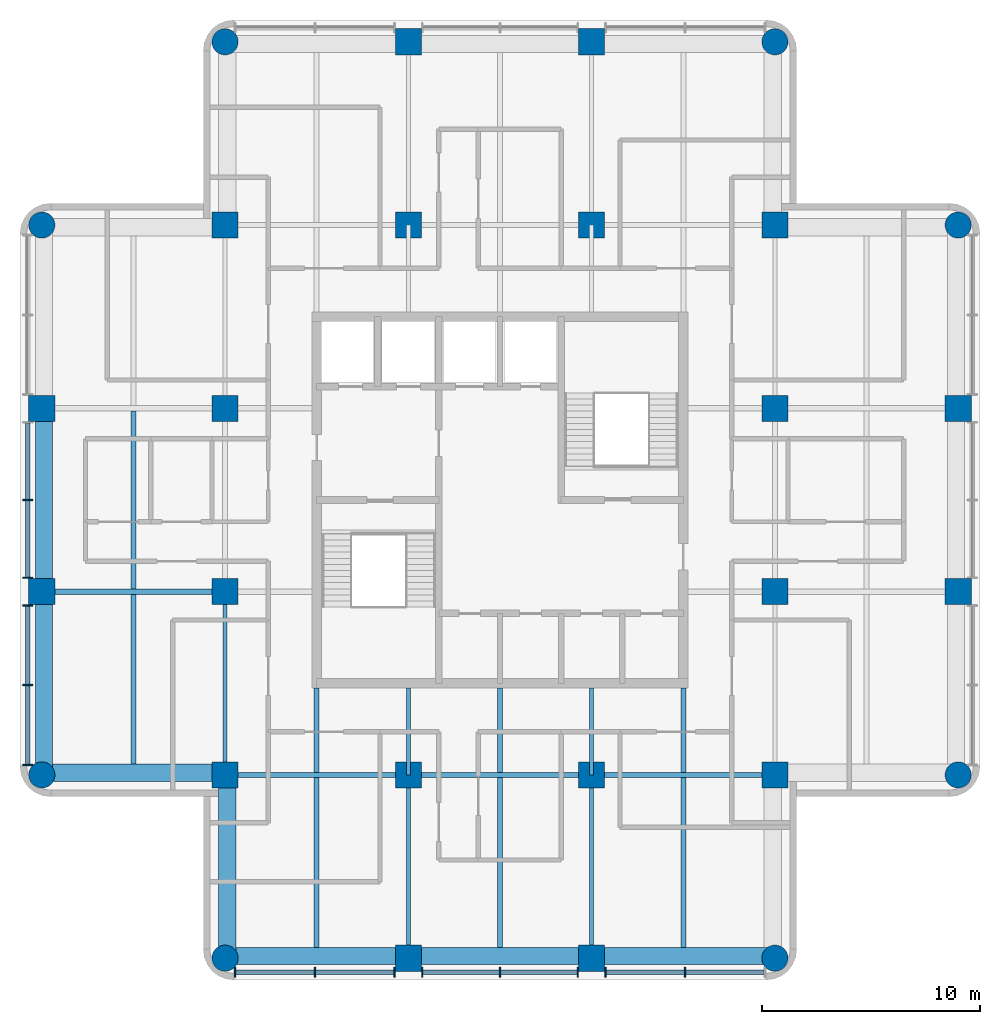
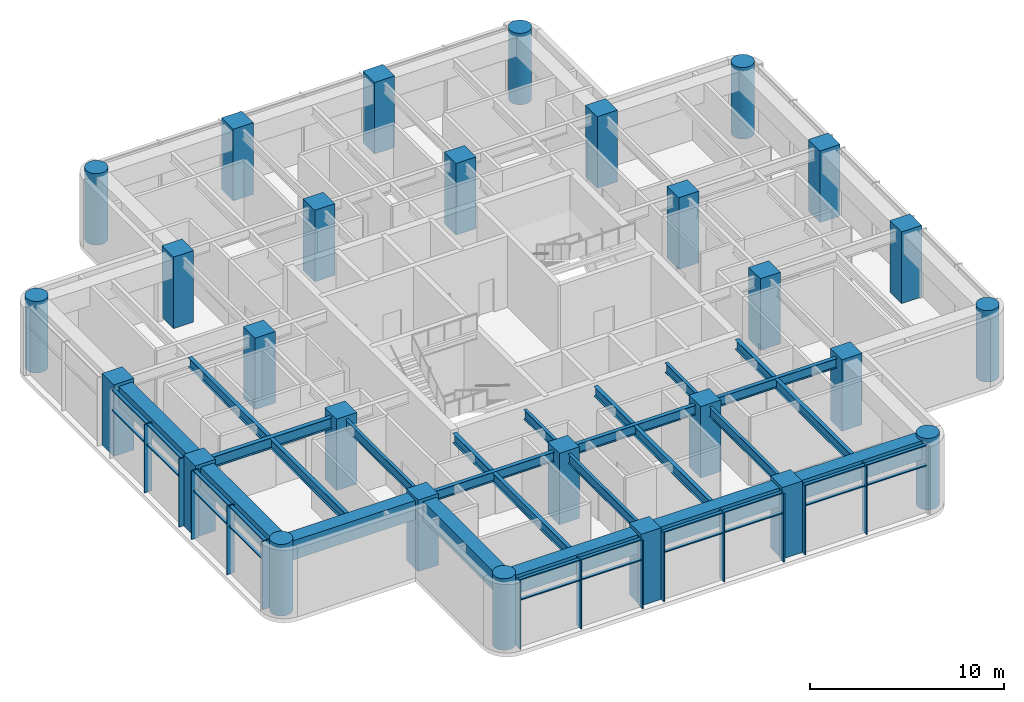
# One storey, part 1 of 8: 33 members, 28 columns, 24 beams, 2 elements without a shape of their own.
"""IFC4 building model written with IfcOpenShell, lengths in metres."""

from ifc_helpers import new_model, si_unit, direction, frame, origin, origin_2d, place, context, subcontext, project, spatial, rectangle, circle, i_section, extrude, material, material_profile, profile_set, type_object, element, aggregate, save


model = new_model("IFC4")

# Units and contexts
model_context = context("Model", 3, precision=1e-05, world=origin(), true_north=direction((0.0, 1.0)))
body_context = subcontext(model_context, "Body", "Model", "MODEL_VIEW")
ifc_project = project(units=[si_unit("LENGTHUNIT", "METRE"), si_unit("AREAUNIT", "SQUARE_METRE"), si_unit("VOLUMEUNIT", "CUBIC_METRE"), si_unit("PLANEANGLEUNIT", "RADIAN"), si_unit("MASSUNIT", "GRAM", prefix="KILO")], contexts=[model_context])

# Site, building, storey
site_placement = place(None, origin())
site = spatial("IfcSite", under=ifc_project, at=site_placement, CompositionType="ELEMENT")
building_placement = place(site_placement, origin())
building = spatial("IfcBuilding", under=site, at=building_placement, Name="Torre Alcanfor", CompositionType="ELEMENT")
storey_placement = place(building_placement, frame((0.0, 0.0, 305.39990234375)))
storey = spatial("IfcBuildingStorey", under=building, at=storey_placement, Name="L80", CompositionType="ELEMENT", Elevation=305.39990234375)

# Columns
ifc_material_1 = material(Name="Concrete f'c 70 MPa", Category="concrete")
ifc_material_profile_1 = material_profile(ifc_material_1, rectangle(XDim=1.199951171875, YDim=1.199951171875, at=origin_2d()), Name="1200x1200")
ifc_profile_set_1 = profile_set([ifc_material_profile_1], Name="Concrete f'c 70 MPa")
column_type_1 = type_object("IfcColumnType", Name="RC column 1200x1200 f'c70", PredefinedType="COLUMN", material=ifc_profile_set_1)
for number, where, z_axis, x_axis, name in (
    (1, (8.39990234375, 25.199951171875, 0.0), (0.0, 0.0, 1.0), (1.0, 0.0, 0.0), "Column 2/F L80"),
    (2, (8.39990234375, 33.60009765625, 0.0), (0.0, 0.0, 1.0), (1.0, 0.0, 0.0), "Column 2/G L80"),
    (3, (16.800048828125, 16.800048828125, 0.0), (0.0, 0.0, 1.0), (1.0, 0.0, 0.0), "Column 3/E L80"),
    (4, (16.800048828125, 25.199951171875, 0.0), (0.0, 0.0, 1.0), (1.0, 0.0, 0.0), "Column 3/F L80"),
    (5, (16.800048828125, 33.60009765625, 0.0), (0.0, 0.0, 1.0), (1.0, 0.0, 0.0), "Column 3/G L80"),
    (6, (16.800048828125, 42.0, 0.0), (0.0, 0.0, 1.0), (1.0, 0.0, 0.0), "Column 3/H L80"),
    (7, (25.199951171875, 8.39990234375, 0.0), (0.0, 0.0, 1.0), (1.0, 0.0, 0.0), "Column 4/D L80"),
    (8, (25.199951171875, 16.800048828125, 0.0), (0.0, 0.0, 1.0), (1.0, 0.0, 0.0), "Column 4/E L80"),
    (9, (25.199951171875, 42.0, 0.0), (0.0, 0.0, 1.0), (1.0, 0.0, 0.0), "Column 4/H L80"),
    (10, (25.199951171875, 50.39990234375, 0.0), (0.0, 0.0, 1.0), (1.0, 0.0, 0.0), "Column 4/J L80"),
    (11, (33.60009765625, 8.39990234375, 0.0), (0.0, 0.0, 1.0), (1.0, 0.0, 0.0), "Column 5/D L80"),
    (12, (33.60009765625, 16.800048828125, 0.0), (0.0, 0.0, 1.0), (1.0, 0.0, 0.0), "Column 5/E L80"),
    (13, (33.60009765625, 42.0, 0.0), (0.0, 0.0, 1.0), (1.0, 0.0, 0.0), "Column 5/H L80"),
    (14, (33.60009765625, 50.39990234375, 0.0), (0.0, 0.0, 1.0), (1.0, 0.0, 0.0), "Column 5/J L80"),
    (15, (42.0, 16.800048828125, 0.0), (0.0, 0.0, 1.0), (1.0, 0.0, 0.0), "Column 6/E L80"),
    (16, (42.0, 25.199951171875, 0.0), (0.0, 0.0, 1.0), (1.0, 0.0, 0.0), "Column 6/F L80"),
    (17, (42.0, 33.60009765625, 0.0), (0.0, 0.0, 1.0), (1.0, 0.0, 0.0), "Column 6/G L80"),
    (18, (42.0, 42.0, 0.0), (0.0, 0.0, 1.0), (1.0, 0.0, 0.0), "Column 6/H L80"),
    (19, (50.39990234375, 25.199951171875, 0.0), (0.0, 0.0, 1.0), (1.0, 0.0, 0.0), "Column 7/F L80"),
    (20, (50.39990234375, 33.60009765625, 0.0), (0.0, 0.0, 1.0), (1.0, 0.0, 0.0), "Column 7/G L80"),
):
    element("IfcColumn", number, at=place(storey_placement, frame(where, z_axis=z_axis, x_axis=x_axis)), inside=storey, type_object=column_type_1, Name=name, PredefinedType="COLUMN", context=body_context, shape_type="SweptSolid", body=[
        extrude(rectangle(XDim=1.199951171875, YDim=1.199951171875, at=origin_2d()), origin(), (0.0, 0.0, 1.0), 4.5),
    ])
ifc_material_2 = material(Name="Concrete f'c 70 MPa", Category="concrete")
ifc_material_profile_2 = material_profile(ifc_material_2, circle(Radius=0.60009765625, at=origin_2d()), Name="D1200")
ifc_profile_set_2 = profile_set([ifc_material_profile_2], Name="Concrete f'c 70 MPa")
column_type_2 = type_object("IfcColumnType", Name="RC column D1200 f'c70", PredefinedType="COLUMN", material=ifc_profile_set_2)
for number, where, z_axis, x_axis, name in (
    (21, (8.39990234375, 16.800048828125, 0.0), (0.0, 0.0, 1.0), (1.0, 0.0, 0.0), "Column 2/E L80"),
    (22, (8.39990234375, 42.0, 0.0), (0.0, 0.0, 1.0), (1.0, 0.0, 0.0), "Column 2/H L80"),
    (23, (16.800048828125, 8.39990234375, 0.0), (0.0, 0.0, 1.0), (1.0, 0.0, 0.0), "Column 3/D L80"),
    (24, (16.800048828125, 50.39990234375, 0.0), (0.0, 0.0, 1.0), (1.0, 0.0, 0.0), "Column 3/J L80"),
    (25, (42.0, 8.39990234375, 0.0), (0.0, 0.0, 1.0), (1.0, 0.0, 0.0), "Column 6/D L80"),
    (26, (42.0, 50.39990234375, 0.0), (0.0, 0.0, 1.0), (1.0, 0.0, 0.0), "Column 6/J L80"),
    (27, (50.39990234375, 16.800048828125, 0.0), (0.0, 0.0, 1.0), (1.0, 0.0, 0.0), "Column 7/E L80"),
    (28, (50.39990234375, 42.0, 0.0), (0.0, 0.0, 1.0), (1.0, 0.0, 0.0), "Column 7/H L80"),
):
    element("IfcColumn", number, at=place(storey_placement, frame(where, z_axis=z_axis, x_axis=x_axis)), inside=storey, type_object=column_type_2, Name=name, PredefinedType="COLUMN", context=body_context, shape_type="SweptSolid", body=[
        extrude(circle(Radius=0.60009765625, at=origin_2d()), origin(), (0.0, 0.0, 1.0), 4.5),
    ])

# Curtain wall, members
ifc_material_3 = material(Name="Aluminium and glass", Category="aluminium")
curtain_wall_type = type_object("IfcCurtainWallType", Name="CW-E crown screen", PredefinedType="NOTDEFINED", material=ifc_material_3)
curtain_wall_1_placement = place(storey_placement, origin())
curtain_wall_1 = element("IfcCurtainWall", 29, at=curtain_wall_1_placement, inside=storey, type_object=curtain_wall_type, Name="Curtain wall CW-E L80 2", PredefinedType="NOTDEFINED")
ifc_material_4 = material(Name="Bronze anodised aluminium", Category="aluminium")
ifc_material_profile_3 = material_profile(ifc_material_4, rectangle(XDim=0.449951171875, YDim=0.06494140625, at=origin_2d()), Name="CW-E mullion 65x450")
ifc_profile_set_3 = profile_set([ifc_material_profile_3], Name="Bronze anodised aluminium")
member_type_1 = type_object("IfcMemberType", Name="CW-E mullion with vertical FIN 65x450", PredefinedType="MULLION", material=ifc_profile_set_3)
member_1_placement = place(storey_placement, frame((7.75, 29.39990234375, 0.0), z_axis=(0.0, 0.0, 1.0), x_axis=(1.0, 0.0, 0.0)))
member_1 = element("IfcMember", 30, at=member_1_placement, type_object=member_type_1, Name="CW-E mullion 2.2", PredefinedType="MULLION", context=body_context, shape_type="SweptSolid", body=[
    extrude(rectangle(XDim=0.449951171875, YDim=0.06494140625, at=origin_2d()), origin(), (0.0, 0.0, 1.0), 4.300048828125),
])
member_2_placement = place(storey_placement, frame((7.75, 25.83740234375, 0.0), z_axis=(0.0, 0.0, 1.0), x_axis=(1.0, 0.0, 0.0)))
member_2 = element("IfcMember", 31, at=member_2_placement, type_object=member_type_1, Name="CW-E mullion 2.3", PredefinedType="MULLION", context=body_context, shape_type="SweptSolid", body=[
    extrude(rectangle(XDim=0.449951171875, YDim=0.06494140625, at=origin_2d()), origin(), (0.0, 0.0, 1.0), 4.300048828125),
])
member_3_placement = place(storey_placement, frame((7.75, 24.5625, 0.0), z_axis=(0.0, 0.0, 1.0), x_axis=(1.0, 0.0, 0.0)))
member_3 = element("IfcMember", 32, at=member_3_placement, type_object=member_type_1, Name="CW-E mullion 3.1", PredefinedType="MULLION", context=body_context, shape_type="SweptSolid", body=[
    extrude(rectangle(XDim=0.449951171875, YDim=0.06494140625, at=origin_2d()), origin(), (0.0, 0.0, 1.0), 4.300048828125),
])
member_4_placement = place(storey_placement, frame((7.75, 20.912841796875, 0.0), z_axis=(0.0, 0.0, 1.0), x_axis=(1.0, 0.0, 0.0)))
member_4 = element("IfcMember", 33, at=member_4_placement, type_object=member_type_1, Name="CW-E mullion 3.2", PredefinedType="MULLION", context=body_context, shape_type="SweptSolid", body=[
    extrude(rectangle(XDim=0.449951171875, YDim=0.06494140625, at=origin_2d()), origin(), (0.0, 0.0, 1.0), 4.300048828125),
])
member_5_placement = place(storey_placement, frame((7.75, 17.262939453125, 0.0), z_axis=(0.0, 0.0, 1.0), x_axis=(1.0, 0.0, 0.0)))
member_5 = element("IfcMember", 34, at=member_5_placement, type_object=member_type_1, Name="CW-E mullion 3.3", PredefinedType="MULLION", context=body_context, shape_type="SweptSolid", body=[
    extrude(rectangle(XDim=0.449951171875, YDim=0.06494140625, at=origin_2d()), origin(), (0.0, 0.0, 1.0), 4.300048828125),
])

curtain_wall_2_placement = place(storey_placement, origin())
curtain_wall_2 = element("IfcCurtainWall", 35, at=curtain_wall_2_placement, inside=storey, type_object=curtain_wall_type, Name="Curtain wall CW-E L80 5", PredefinedType="NOTDEFINED")
member_6_placement = place(storey_placement, frame((17.262939453125, 7.75, 0.0), z_axis=(0.0, 0.0, 1.0), x_axis=(0.0, 1.0, 0.0)))
member_6 = element("IfcMember", 36, at=member_6_placement, type_object=member_type_1, Name="CW-E mullion 1.1", PredefinedType="MULLION", context=body_context, shape_type="SweptSolid", body=[
    extrude(rectangle(XDim=0.449951171875, YDim=0.06494140625, at=origin_2d()), origin(), (0.0, 0.0, 1.0), 4.300048828125),
])
member_7_placement = place(storey_placement, frame((20.912841796875, 7.75, 0.0), z_axis=(0.0, 0.0, 1.0), x_axis=(0.0, 1.0, 0.0)))
member_7 = element("IfcMember", 37, at=member_7_placement, type_object=member_type_1, Name="CW-E mullion 1.2", PredefinedType="MULLION", context=body_context, shape_type="SweptSolid", body=[
    extrude(rectangle(XDim=0.449951171875, YDim=0.06494140625, at=origin_2d()), origin(), (0.0, 0.0, 1.0), 4.300048828125),
])
member_8_placement = place(storey_placement, frame((24.5625, 7.75, 0.0), z_axis=(0.0, 0.0, 1.0), x_axis=(0.0, 1.0, 0.0)))
member_8 = element("IfcMember", 38, at=member_8_placement, type_object=member_type_1, Name="CW-E mullion 1.3", PredefinedType="MULLION", context=body_context, shape_type="SweptSolid", body=[
    extrude(rectangle(XDim=0.449951171875, YDim=0.06494140625, at=origin_2d()), origin(), (0.0, 0.0, 1.0), 4.300048828125),
])
member_9_placement = place(storey_placement, frame((25.83740234375, 7.75, 0.0), z_axis=(0.0, 0.0, 1.0), x_axis=(0.0, 1.0, 0.0)))
member_9 = element("IfcMember", 39, at=member_9_placement, type_object=member_type_1, Name="CW-E mullion 2.1", PredefinedType="MULLION", context=body_context, shape_type="SweptSolid", body=[
    extrude(rectangle(XDim=0.449951171875, YDim=0.06494140625, at=origin_2d()), origin(), (0.0, 0.0, 1.0), 4.300048828125),
])
member_10_placement = place(storey_placement, frame((29.39990234375, 7.75, 0.0), z_axis=(0.0, 0.0, 1.0), x_axis=(0.0, 1.0, 0.0)))
member_10 = element("IfcMember", 40, at=member_10_placement, type_object=member_type_1, Name="CW-E mullion 2.2", PredefinedType="MULLION", context=body_context, shape_type="SweptSolid", body=[
    extrude(rectangle(XDim=0.449951171875, YDim=0.06494140625, at=origin_2d()), origin(), (0.0, 0.0, 1.0), 4.300048828125),
])
member_11_placement = place(storey_placement, frame((32.96240234375, 7.75, 0.0), z_axis=(0.0, 0.0, 1.0), x_axis=(0.0, 1.0, 0.0)))
member_11 = element("IfcMember", 41, at=member_11_placement, type_object=member_type_1, Name="CW-E mullion 2.3", PredefinedType="MULLION", context=body_context, shape_type="SweptSolid", body=[
    extrude(rectangle(XDim=0.449951171875, YDim=0.06494140625, at=origin_2d()), origin(), (0.0, 0.0, 1.0), 4.300048828125),
])
member_12_placement = place(storey_placement, frame((34.237548828125, 7.75, 0.0), z_axis=(0.0, 0.0, 1.0), x_axis=(0.0, 1.0, 0.0)))
member_12 = element("IfcMember", 42, at=member_12_placement, type_object=member_type_1, Name="CW-E mullion 3.1", PredefinedType="MULLION", context=body_context, shape_type="SweptSolid", body=[
    extrude(rectangle(XDim=0.449951171875, YDim=0.06494140625, at=origin_2d()), origin(), (0.0, 0.0, 1.0), 4.300048828125),
])
member_13_placement = place(storey_placement, frame((37.88720703125, 7.75, 0.0), z_axis=(0.0, 0.0, 1.0), x_axis=(0.0, 1.0, 0.0)))
member_13 = element("IfcMember", 43, at=member_13_placement, type_object=member_type_1, Name="CW-E mullion 3.2", PredefinedType="MULLION", context=body_context, shape_type="SweptSolid", body=[
    extrude(rectangle(XDim=0.449951171875, YDim=0.06494140625, at=origin_2d()), origin(), (0.0, 0.0, 1.0), 4.300048828125),
])

# Member
ifc_material_5 = material(Name="Extruded aluminium", Category="aluminium")
ifc_material_profile_4 = material_profile(ifc_material_5, rectangle(XDim=0.199951171875, YDim=0.06494140625, at=origin_2d()), Name="CW-E transom 200x65")
ifc_profile_set_4 = profile_set([ifc_material_profile_4], Name="Extruded aluminium")
member_type_2 = type_object("IfcMemberType", Name="CW-E transom 65x200", PredefinedType="USERDEFINED", material=ifc_profile_set_4)
member_14_placement = place(storey_placement, frame((7.75, 32.929931640625, 3.0), z_axis=(0.0, -1.0, 0.0), x_axis=(1.0, 0.0, 0.0)))
member_14 = element("IfcMember", 44, at=member_14_placement, type_object=member_type_2, Name="CW-E transom 2.1.2", ObjectType="TRANSOM", PredefinedType="USERDEFINED", context=body_context, shape_type="SweptSolid", body=[
    extrude(rectangle(XDim=0.199951171875, YDim=0.06494140625, at=origin_2d()), origin(), (0.0, 0.0, 1.0), 3.497314453125),
])

member_15_placement = place(storey_placement, frame((7.75, 32.929931640625, 4.267578125), z_axis=(0.0, -1.0, 0.0), x_axis=(1.0, 0.0, 0.0)))
member_15 = element("IfcMember", 45, at=member_15_placement, type_object=member_type_2, Name="CW-E transom 2.1.3", ObjectType="TRANSOM", PredefinedType="USERDEFINED", context=body_context, shape_type="SweptSolid", body=[
    extrude(rectangle(XDim=0.199951171875, YDim=0.06494140625, at=origin_2d()), origin(), (0.0, 0.0, 1.0), 3.497314453125),
])

member_16_placement = place(storey_placement, frame((7.75, 29.367431640625, 3.0), z_axis=(0.0, -1.0, 0.0), x_axis=(1.0, 0.0, 0.0)))
member_16 = element("IfcMember", 46, at=member_16_placement, type_object=member_type_2, Name="CW-E transom 2.2.2", ObjectType="TRANSOM", PredefinedType="USERDEFINED", context=body_context, shape_type="SweptSolid", body=[
    extrude(rectangle(XDim=0.199951171875, YDim=0.06494140625, at=origin_2d()), origin(), (0.0, 0.0, 1.0), 3.497314453125),
])

member_17_placement = place(storey_placement, frame((7.75, 29.367431640625, 4.267578125), z_axis=(0.0, -1.0, 0.0), x_axis=(1.0, 0.0, 0.0)))
member_17 = element("IfcMember", 47, at=member_17_placement, type_object=member_type_2, Name="CW-E transom 2.2.3", ObjectType="TRANSOM", PredefinedType="USERDEFINED", context=body_context, shape_type="SweptSolid", body=[
    extrude(rectangle(XDim=0.199951171875, YDim=0.06494140625, at=origin_2d()), origin(), (0.0, 0.0, 1.0), 3.497314453125),
])

member_18_placement = place(storey_placement, frame((7.75, 24.530029296875, 3.0), z_axis=(0.0, -1.0, 0.0), x_axis=(1.0, 0.0, 0.0)))
member_18 = element("IfcMember", 48, at=member_18_placement, type_object=member_type_2, Name="CW-E transom 3.1.2", ObjectType="TRANSOM", PredefinedType="USERDEFINED", context=body_context, shape_type="SweptSolid", body=[
    extrude(rectangle(XDim=0.199951171875, YDim=0.06494140625, at=origin_2d()), origin(), (0.0, 0.0, 1.0), 3.584716796875),
])

member_19_placement = place(storey_placement, frame((7.75, 24.530029296875, 4.267578125), z_axis=(0.0, -1.0, 0.0), x_axis=(1.0, 0.0, 0.0)))
member_19 = element("IfcMember", 49, at=member_19_placement, type_object=member_type_2, Name="CW-E transom 3.1.3", ObjectType="TRANSOM", PredefinedType="USERDEFINED", context=body_context, shape_type="SweptSolid", body=[
    extrude(rectangle(XDim=0.199951171875, YDim=0.06494140625, at=origin_2d()), origin(), (0.0, 0.0, 1.0), 3.584716796875),
])

member_20_placement = place(storey_placement, frame((7.75, 20.88037109375, 3.0), z_axis=(0.0, -1.0, 0.0), x_axis=(1.0, 0.0, 0.0)))
member_20 = element("IfcMember", 50, at=member_20_placement, type_object=member_type_2, Name="CW-E transom 3.2.2", ObjectType="TRANSOM", PredefinedType="USERDEFINED", context=body_context, shape_type="SweptSolid", body=[
    extrude(rectangle(XDim=0.199951171875, YDim=0.06494140625, at=origin_2d()), origin(), (0.0, 0.0, 1.0), 3.5849609375),
])

member_21_placement = place(storey_placement, frame((7.75, 20.88037109375, 4.267578125), z_axis=(0.0, -1.0, 0.0), x_axis=(1.0, 0.0, 0.0)))
member_21 = element("IfcMember", 51, at=member_21_placement, type_object=member_type_2, Name="CW-E transom 3.2.3", ObjectType="TRANSOM", PredefinedType="USERDEFINED", context=body_context, shape_type="SweptSolid", body=[
    extrude(rectangle(XDim=0.199951171875, YDim=0.06494140625, at=origin_2d()), origin(), (0.0, 0.0, 1.0), 3.5849609375),
])

aggregate(curtain_wall_1, [member_1, member_2, member_14, member_15, member_16, member_17, member_3, member_4, member_5, member_18, member_19, member_20, member_21])

member_22_placement = place(storey_placement, frame((17.29541015625, 7.75, 3.0), z_axis=(1.0, 0.0, 0.0), x_axis=(0.0, 1.0, 0.0)))
member_22 = element("IfcMember", 52, at=member_22_placement, type_object=member_type_2, Name="CW-E transom 1.1.2", ObjectType="TRANSOM", PredefinedType="USERDEFINED", context=body_context, shape_type="SweptSolid", body=[
    extrude(rectangle(XDim=0.199951171875, YDim=0.06494140625, at=origin_2d()), origin(), (0.0, 0.0, 1.0), 3.5849609375),
])

member_23_placement = place(storey_placement, frame((17.29541015625, 7.75, 4.267578125), z_axis=(1.0, 0.0, 0.0), x_axis=(0.0, 1.0, 0.0)))
member_23 = element("IfcMember", 53, at=member_23_placement, type_object=member_type_2, Name="CW-E transom 1.1.3", ObjectType="TRANSOM", PredefinedType="USERDEFINED", context=body_context, shape_type="SweptSolid", body=[
    extrude(rectangle(XDim=0.199951171875, YDim=0.06494140625, at=origin_2d()), origin(), (0.0, 0.0, 1.0), 3.5849609375),
])

member_24_placement = place(storey_placement, frame((20.9453125, 7.75, 3.0), z_axis=(1.0, 0.0, 0.0), x_axis=(0.0, 1.0, 0.0)))
member_24 = element("IfcMember", 54, at=member_24_placement, type_object=member_type_2, Name="CW-E transom 1.2.2", ObjectType="TRANSOM", PredefinedType="USERDEFINED", context=body_context, shape_type="SweptSolid", body=[
    extrude(rectangle(XDim=0.199951171875, YDim=0.06494140625, at=origin_2d()), origin(), (0.0, 0.0, 1.0), 3.584716796875),
])

member_25_placement = place(storey_placement, frame((20.9453125, 7.75, 4.267578125), z_axis=(1.0, 0.0, 0.0), x_axis=(0.0, 1.0, 0.0)))
member_25 = element("IfcMember", 55, at=member_25_placement, type_object=member_type_2, Name="CW-E transom 1.2.3", ObjectType="TRANSOM", PredefinedType="USERDEFINED", context=body_context, shape_type="SweptSolid", body=[
    extrude(rectangle(XDim=0.199951171875, YDim=0.06494140625, at=origin_2d()), origin(), (0.0, 0.0, 1.0), 3.584716796875),
])

member_26_placement = place(storey_placement, frame((25.8701171875, 7.75, 3.0), z_axis=(1.0, 0.0, 0.0), x_axis=(0.0, 1.0, 0.0)))
member_26 = element("IfcMember", 56, at=member_26_placement, type_object=member_type_2, Name="CW-E transom 2.1.2", ObjectType="TRANSOM", PredefinedType="USERDEFINED", context=body_context, shape_type="SweptSolid", body=[
    extrude(rectangle(XDim=0.199951171875, YDim=0.06494140625, at=origin_2d()), origin(), (0.0, 0.0, 1.0), 3.497314453125),
])

member_27_placement = place(storey_placement, frame((25.8701171875, 7.75, 4.267578125), z_axis=(1.0, 0.0, 0.0), x_axis=(0.0, 1.0, 0.0)))
member_27 = element("IfcMember", 57, at=member_27_placement, type_object=member_type_2, Name="CW-E transom 2.1.3", ObjectType="TRANSOM", PredefinedType="USERDEFINED", context=body_context, shape_type="SweptSolid", body=[
    extrude(rectangle(XDim=0.199951171875, YDim=0.06494140625, at=origin_2d()), origin(), (0.0, 0.0, 1.0), 3.497314453125),
])

member_28_placement = place(storey_placement, frame((29.4326171875, 7.75, 3.0), z_axis=(1.0, 0.0, 0.0), x_axis=(0.0, 1.0, 0.0)))
member_28 = element("IfcMember", 58, at=member_28_placement, type_object=member_type_2, Name="CW-E transom 2.2.2", ObjectType="TRANSOM", PredefinedType="USERDEFINED", context=body_context, shape_type="SweptSolid", body=[
    extrude(rectangle(XDim=0.199951171875, YDim=0.06494140625, at=origin_2d()), origin(), (0.0, 0.0, 1.0), 3.497314453125),
])

member_29_placement = place(storey_placement, frame((29.4326171875, 7.75, 4.267578125), z_axis=(1.0, 0.0, 0.0), x_axis=(0.0, 1.0, 0.0)))
member_29 = element("IfcMember", 59, at=member_29_placement, type_object=member_type_2, Name="CW-E transom 2.2.3", ObjectType="TRANSOM", PredefinedType="USERDEFINED", context=body_context, shape_type="SweptSolid", body=[
    extrude(rectangle(XDim=0.199951171875, YDim=0.06494140625, at=origin_2d()), origin(), (0.0, 0.0, 1.0), 3.497314453125),
])

member_30_placement = place(storey_placement, frame((34.27001953125, 7.75, 3.0), z_axis=(1.0, 0.0, 0.0), x_axis=(0.0, 1.0, 0.0)))
member_30 = element("IfcMember", 60, at=member_30_placement, type_object=member_type_2, Name="CW-E transom 3.1.2", ObjectType="TRANSOM", PredefinedType="USERDEFINED", context=body_context, shape_type="SweptSolid", body=[
    extrude(rectangle(XDim=0.199951171875, YDim=0.06494140625, at=origin_2d()), origin(), (0.0, 0.0, 1.0), 3.584716796875),
])

member_31_placement = place(storey_placement, frame((34.27001953125, 7.75, 4.267578125), z_axis=(1.0, 0.0, 0.0), x_axis=(0.0, 1.0, 0.0)))
member_31 = element("IfcMember", 61, at=member_31_placement, type_object=member_type_2, Name="CW-E transom 3.1.3", ObjectType="TRANSOM", PredefinedType="USERDEFINED", context=body_context, shape_type="SweptSolid", body=[
    extrude(rectangle(XDim=0.199951171875, YDim=0.06494140625, at=origin_2d()), origin(), (0.0, 0.0, 1.0), 3.584716796875),
])

member_32_placement = place(storey_placement, frame((37.919677734375, 7.75, 3.0), z_axis=(1.0, 0.0, 0.0), x_axis=(0.0, 1.0, 0.0)))
member_32 = element("IfcMember", 62, at=member_32_placement, type_object=member_type_2, Name="CW-E transom 3.2.2", ObjectType="TRANSOM", PredefinedType="USERDEFINED", context=body_context, shape_type="SweptSolid", body=[
    extrude(rectangle(XDim=0.199951171875, YDim=0.06494140625, at=origin_2d()), origin(), (0.0, 0.0, 1.0), 3.584716796875),
])

member_33_placement = place(storey_placement, frame((37.919677734375, 7.75, 4.267578125), z_axis=(1.0, 0.0, 0.0), x_axis=(0.0, 1.0, 0.0)))
member_33 = element("IfcMember", 63, at=member_33_placement, type_object=member_type_2, Name="CW-E transom 3.2.3", ObjectType="TRANSOM", PredefinedType="USERDEFINED", context=body_context, shape_type="SweptSolid", body=[
    extrude(rectangle(XDim=0.199951171875, YDim=0.06494140625, at=origin_2d()), origin(), (0.0, 0.0, 1.0), 3.584716796875),
])

aggregate(curtain_wall_2, [member_6, member_7, member_8, member_22, member_23, member_24, member_25, member_9, member_10, member_11, member_26, member_27, member_28, member_29, member_12, member_13, member_30, member_31, member_32, member_33])

# Beams
ifc_material_6 = material(Name="Steel ASTM A992 Grade 50", Category="steel")
ifc_material_profile_5 = material_profile(ifc_material_6, i_section(OverallWidth=0.177978515625, OverallDepth=0.599365234375, WebThickness=0.010009765625, FlangeThickness=0.012939453125, at=origin_2d()), Name="W24x55")
ifc_profile_set_5 = profile_set([ifc_material_profile_5], Name="Steel ASTM A992 Grade 50")
beam_type_1 = type_object("IfcBeamType", Name="Girder W24x55", PredefinedType="BEAM", material=ifc_profile_set_5)
beam_1_placement = place(storey_placement, frame((16.800048828125, 16.800048828125, 4.00048828125), z_axis=(0.0, 1.0, 0.0), x_axis=(-1.0, 0.0, 0.0)))
element("IfcBeam", 64, at=beam_1_placement, inside=storey, type_object=beam_type_1, Name="Beam 3E-3F under RF", PredefinedType="BEAM", context=body_context, shape_type="SweptSolid", body=[
    extrude(i_section(OverallWidth=0.177978515625, OverallDepth=0.599365234375, WebThickness=0.010009765625, FlangeThickness=0.012939453125, at=origin_2d()), origin(), (0.0, 0.0, 1.0), 8.39990234375),
])
for number, where, z_axis, x_axis, name in (
    (65, (25.199951171875, 8.39990234375, 4.00048828125), (0.0, 1.0, 0.0), (-1.0, 0.0, 0.0), "Beam 4D-4E under RF"),
    (66, (33.60009765625, 8.39990234375, 4.00048828125), (0.0, 1.0, 0.0), (-1.0, 0.0, 0.0), "Beam 5D-5E under RF"),
):
    element("IfcBeam", number, at=place(storey_placement, frame(where, z_axis=z_axis, x_axis=x_axis)), inside=storey, type_object=beam_type_1, Name=name, PredefinedType="BEAM", context=body_context, shape_type="SweptSolid", body=[
        extrude(i_section(OverallWidth=0.177978515625, OverallDepth=0.599365234375, WebThickness=0.010009765625, FlangeThickness=0.012939453125, at=origin_2d()), origin(), (0.0, 0.0, 1.0), 8.400146484375),
    ])
ifc_material_7 = material(Name="Steel ASTM A992 Grade 50", Category="steel")
ifc_material_profile_6 = material_profile(ifc_material_7, i_section(OverallWidth=0.228271484375, OverallDepth=0.607177734375, WebThickness=0.01123046875, FlangeThickness=0.017333984375, at=origin_2d()), Name="W24x76")
ifc_profile_set_6 = profile_set([ifc_material_profile_6], Name="Steel ASTM A992 Grade 50")
beam_type_2 = type_object("IfcBeamType", Name="Girder W24x76", PredefinedType="BEAM", material=ifc_profile_set_6)
beam_2_placement = place(storey_placement, frame((16.800048828125, 16.800048828125, 3.99658203125), z_axis=(1.0, 0.0, 0.0), x_axis=(0.0, 1.0, 0.0)))
element("IfcBeam", 67, at=beam_2_placement, inside=storey, type_object=beam_type_2, Name="Beam 3E-4E under RF", PredefinedType="BEAM", context=body_context, shape_type="SweptSolid", body=[
    extrude(i_section(OverallWidth=0.228271484375, OverallDepth=0.607177734375, WebThickness=0.01123046875, FlangeThickness=0.017333984375, at=origin_2d()), origin(), (0.0, 0.0, 1.0), 8.39990234375),
])
beam_3_placement = place(storey_placement, frame((25.199951171875, 16.800048828125, 3.99658203125), z_axis=(1.0, 0.0, 0.0), x_axis=(0.0, 1.0, 0.0)))
element("IfcBeam", 68, at=beam_3_placement, inside=storey, type_object=beam_type_2, Name="Beam 4E-5E under RF", PredefinedType="BEAM", context=body_context, shape_type="SweptSolid", body=[
    extrude(i_section(OverallWidth=0.228271484375, OverallDepth=0.607177734375, WebThickness=0.01123046875, FlangeThickness=0.017333984375, at=origin_2d()), origin(), (0.0, 0.0, 1.0), 8.400146484375),
])
beam_4_placement = place(storey_placement, frame((33.60009765625, 16.800048828125, 3.99658203125), z_axis=(1.0, 0.0, 0.0), x_axis=(0.0, 1.0, 0.0)))
element("IfcBeam", 69, at=beam_4_placement, inside=storey, type_object=beam_type_2, Name="Beam 5E-6E under RF", PredefinedType="BEAM", context=body_context, shape_type="SweptSolid", body=[
    extrude(i_section(OverallWidth=0.228271484375, OverallDepth=0.607177734375, WebThickness=0.01123046875, FlangeThickness=0.017333984375, at=origin_2d()), origin(), (0.0, 0.0, 1.0), 8.39990234375),
])
ifc_material_8 = material(Name="Steel ASTM A992 Grade 50", Category="steel")
ifc_material_profile_7 = material_profile(ifc_material_8, i_section(OverallWidth=0.25390625, OverallDepth=0.683349609375, WebThickness=0.012451171875, FlangeThickness=0.01904296875, at=origin_2d()), Name="W27x94")
ifc_profile_set_7 = profile_set([ifc_material_profile_7], Name="Steel ASTM A992 Grade 50")
beam_type_3 = type_object("IfcBeamType", Name="Girder W27x94", PredefinedType="BEAM", material=ifc_profile_set_7)
beam_5_placement = place(storey_placement, frame((8.39990234375, 25.199951171875, 3.95849609375), z_axis=(1.0, 0.0, 0.0), x_axis=(0.0, 1.0, 0.0)))
element("IfcBeam", 70, at=beam_5_placement, inside=storey, type_object=beam_type_3, Name="Beam 2F-3F under RF", PredefinedType="BEAM", context=body_context, shape_type="SweptSolid", body=[
    extrude(i_section(OverallWidth=0.25390625, OverallDepth=0.683349609375, WebThickness=0.012451171875, FlangeThickness=0.01904296875, at=origin_2d()), origin(), (0.0, 0.0, 1.0), 8.400146484375),
])
ifc_material_9 = material(Name="Steel ASTM A992 Grade 50", Category="steel")
ifc_material_profile_8 = material_profile(ifc_material_9, i_section(OverallWidth=0.177978515625, OverallDepth=0.599365234375, WebThickness=0.010009765625, FlangeThickness=0.012939453125, at=origin_2d()), Name="W24x55")
ifc_profile_set_8 = profile_set([ifc_material_profile_8], Name="Steel ASTM A992 Grade 50")
beam_type_4 = type_object("IfcBeamType", Name="Girder, part bay W24x55", PredefinedType="BEAM", material=ifc_profile_set_8)
for number, where, z_axis, x_axis, name in (
    (71, (25.199951171875, 16.800048828125, 4.00048828125), (0.0, 1.0, 0.0), (-1.0, 0.0, 0.0), "Beam 4E-420_775 under RF"),
    (72, (33.60009765625, 16.800048828125, 4.00048828125), (0.0, 1.0, 0.0), (-1.0, 0.0, 0.0), "Beam 5E-520_775 under RF"),
):
    element("IfcBeam", number, at=place(storey_placement, frame(where, z_axis=z_axis, x_axis=x_axis)), inside=storey, type_object=beam_type_4, Name=name, PredefinedType="BEAM", context=body_context, shape_type="SweptSolid", body=[
        extrude(i_section(OverallWidth=0.177978515625, OverallDepth=0.599365234375, WebThickness=0.010009765625, FlangeThickness=0.012939453125, at=origin_2d()), origin(), (0.0, 0.0, 1.0), 3.974853515625),
    ])
ifc_material_10 = material(Name="Concrete f'c 70 MPa", Category="concrete")
ifc_material_profile_9 = material_profile(ifc_material_10, rectangle(XDim=0.800048828125, YDim=1.199951171875, at=origin_2d()), Name="800x1200")
ifc_profile_set_9 = profile_set([ifc_material_profile_9], Name="Concrete f'c 70 MPa")
beam_type_5 = type_object("IfcBeamType", Name="RC perimeter beam 800x1200", PredefinedType="BEAM", material=ifc_profile_set_9)
beam_6_placement = place(storey_placement, frame((16.800048828125, 8.5, 3.7001953125), z_axis=(1.0, 0.0, 0.0), x_axis=(0.0, 1.0, 0.0)))
element("IfcBeam", 73, at=beam_6_placement, inside=storey, type_object=beam_type_5, Name="Beam 3D-4D under RF", PredefinedType="BEAM", context=body_context, shape_type="SweptSolid", body=[
    extrude(rectangle(XDim=0.800048828125, YDim=1.199951171875, at=origin_2d()), origin(), (0.0, 0.0, 1.0), 8.31103515625),
])
beam_7_placement = place(storey_placement, frame((25.2890625, 8.5, 3.7001953125), z_axis=(1.0, 0.0, 0.0), x_axis=(0.0, 1.0, 0.0)))
element("IfcBeam", 74, at=beam_7_placement, inside=storey, type_object=beam_type_5, Name="Beam 4D-5D under RF", PredefinedType="BEAM", context=body_context, shape_type="SweptSolid", body=[
    extrude(rectangle(XDim=0.800048828125, YDim=1.199951171875, at=origin_2d()), origin(), (0.0, 0.0, 1.0), 8.221923828125),
])
for number, where, z_axis, x_axis, name in (
    (75, (33.68896484375, 8.5, 3.7001953125), (1.0, 0.0, 0.0), (0.0, 1.0, 0.0), "Beam 5D-6D under RF"),
    (76, (8.39990234375, 16.89990234375, 3.7001953125), (1.0, 0.0, 0.0), (0.0, 1.0, 0.0), "Beam 2E-3E under RF"),
):
    element("IfcBeam", number, at=place(storey_placement, frame(where, z_axis=z_axis, x_axis=x_axis)), inside=storey, type_object=beam_type_5, Name=name, PredefinedType="BEAM", context=body_context, shape_type="SweptSolid", body=[
        extrude(rectangle(XDim=0.800048828125, YDim=1.199951171875, at=origin_2d()), origin(), (0.0, 0.0, 1.0), 8.31103515625),
    ])
beam_8_placement = place(storey_placement, frame((8.5, 16.800048828125, 3.7001953125), z_axis=(0.0, 1.0, 0.0), x_axis=(-1.0, 0.0, 0.0)))
element("IfcBeam", 77, at=beam_8_placement, inside=storey, type_object=beam_type_5, Name="Beam 2E-2F under RF", PredefinedType="BEAM", context=body_context, shape_type="SweptSolid", body=[
    extrude(rectangle(XDim=0.800048828125, YDim=1.199951171875, at=origin_2d()), origin(), (0.0, 0.0, 1.0), 8.27294921875),
])
beam_9_placement = place(storey_placement, frame((8.5, 25.326904296875, 3.7001953125), z_axis=(0.0, 1.0, 0.0), x_axis=(-1.0, 0.0, 0.0)))
element("IfcBeam", 78, at=beam_9_placement, inside=storey, type_object=beam_type_5, Name="Beam 2F-2G under RF", PredefinedType="BEAM", context=body_context, shape_type="SweptSolid", body=[
    extrude(rectangle(XDim=0.800048828125, YDim=1.199951171875, at=origin_2d()), origin(), (0.0, 0.0, 1.0), 8.14599609375),
])
beam_10_placement = place(storey_placement, frame((16.89990234375, 8.39990234375, 3.7001953125), z_axis=(0.0, 1.0, 0.0), x_axis=(-1.0, 0.0, 0.0)))
element("IfcBeam", 79, at=beam_10_placement, inside=storey, type_object=beam_type_5, Name="Beam 3D-3E under RF", PredefinedType="BEAM", context=body_context, shape_type="SweptSolid", body=[
    extrude(rectangle(XDim=0.800048828125, YDim=1.199951171875, at=origin_2d()), origin(), (0.0, 0.0, 1.0), 8.2861328125),
])
ifc_material_11 = material(Name="Steel ASTM A992 Grade 50", Category="steel")
ifc_material_profile_10 = material_profile(ifc_material_11, i_section(OverallWidth=0.227783203125, OverallDepth=0.60205078125, WebThickness=0.010498046875, FlangeThickness=0.014892578125, at=origin_2d()), Name="W24x68")
ifc_profile_set_10 = profile_set([ifc_material_profile_10], Name="Steel ASTM A992 Grade 50")
beam_type_6 = type_object("IfcBeamType", Name="Secondary beam W24x68", PredefinedType="BEAM", material=ifc_profile_set_10)
beam_11_placement = place(storey_placement, frame((12.60009765625, 17.300048828125, 3.9990234375), z_axis=(0.0, 1.0, 0.0), x_axis=(-1.0, 0.0, 0.0)))
element("IfcBeam", 80, at=beam_11_placement, inside=storey, type_object=beam_type_6, Name="Beam 12_6E-12_6F under RF", PredefinedType="BEAM", context=body_context, shape_type="SweptSolid", body=[
    extrude(i_section(OverallWidth=0.227783203125, OverallDepth=0.60205078125, WebThickness=0.010498046875, FlangeThickness=0.014892578125, at=origin_2d()), origin(), (0.0, 0.0, 1.0), 7.77294921875),
])
beam_12_placement = place(storey_placement, frame((12.60009765625, 25.326904296875, 3.9990234375), z_axis=(0.0, 1.0, 0.0), x_axis=(-1.0, 0.0, 0.0)))
element("IfcBeam", 81, at=beam_12_placement, inside=storey, type_object=beam_type_6, Name="Beam 12_6F-12_6G under RF", PredefinedType="BEAM", context=body_context, shape_type="SweptSolid", body=[
    extrude(i_section(OverallWidth=0.227783203125, OverallDepth=0.60205078125, WebThickness=0.010498046875, FlangeThickness=0.014892578125, at=origin_2d()), origin(), (0.0, 0.0, 1.0), 8.14599609375),
])
for number, where, z_axis, x_axis, name in (
    (82, (21.0, 8.89990234375, 3.9990234375), (0.0, 1.0, 0.0), (-1.0, 0.0, 0.0), "Beam 21D-21E under RF"),
    (83, (29.39990234375, 8.89990234375, 3.9990234375), (0.0, 1.0, 0.0), (-1.0, 0.0, 0.0), "Beam 29_4D-29_4E under RF"),
    (84, (37.800048828125, 8.89990234375, 3.9990234375), (0.0, 1.0, 0.0), (-1.0, 0.0, 0.0), "Beam 37_8D-37_8E under RF"),
):
    element("IfcBeam", number, at=place(storey_placement, frame(where, z_axis=z_axis, x_axis=x_axis)), inside=storey, type_object=beam_type_6, Name=name, PredefinedType="BEAM", context=body_context, shape_type="SweptSolid", body=[
        extrude(i_section(OverallWidth=0.227783203125, OverallDepth=0.60205078125, WebThickness=0.010498046875, FlangeThickness=0.014892578125, at=origin_2d()), origin(), (0.0, 0.0, 1.0), 7.7861328125),
    ])
ifc_material_12 = material(Name="Steel ASTM A992 Grade 50", Category="steel")
ifc_material_profile_11 = material_profile(ifc_material_12, i_section(OverallWidth=0.227783203125, OverallDepth=0.60205078125, WebThickness=0.010498046875, FlangeThickness=0.014892578125, at=origin_2d()), Name="W24x68")
ifc_profile_set_11 = profile_set([ifc_material_profile_11], Name="Steel ASTM A992 Grade 50")
beam_type_7 = type_object("IfcBeamType", Name="Secondary beam, part bay W24x68", PredefinedType="BEAM", material=ifc_profile_set_11)
for number, where, z_axis, x_axis, name in (
    (85, (21.0, 16.9140625, 3.9990234375), (0.0, 1.0, 0.0), (-1.0, 0.0, 0.0), "Beam 21E-2120_775 under RF"),
    (86, (29.39990234375, 16.9140625, 3.9990234375), (0.0, 1.0, 0.0), (-1.0, 0.0, 0.0), "Beam 29_4E-29_420_775 under RF"),
    (87, (37.800048828125, 16.9140625, 3.9990234375), (0.0, 1.0, 0.0), (-1.0, 0.0, 0.0), "Beam 37_8E-37_820_775 under RF"),
):
    element("IfcBeam", number, at=place(storey_placement, frame(where, z_axis=z_axis, x_axis=x_axis)), inside=storey, type_object=beam_type_7, Name=name, PredefinedType="BEAM", context=body_context, shape_type="SweptSolid", body=[
        extrude(i_section(OverallWidth=0.227783203125, OverallDepth=0.60205078125, WebThickness=0.010498046875, FlangeThickness=0.014892578125, at=origin_2d()), origin(), (0.0, 0.0, 1.0), 3.86083984375),
    ])

save(model, "model.ifc")
